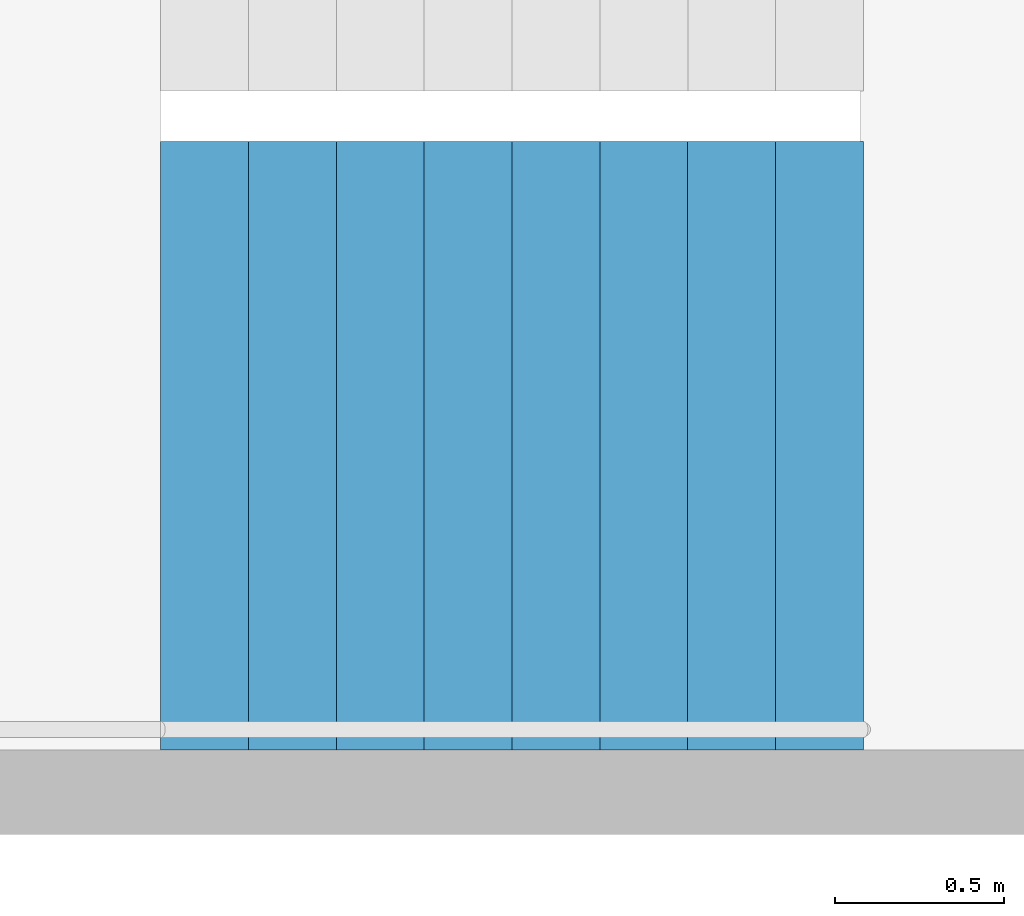
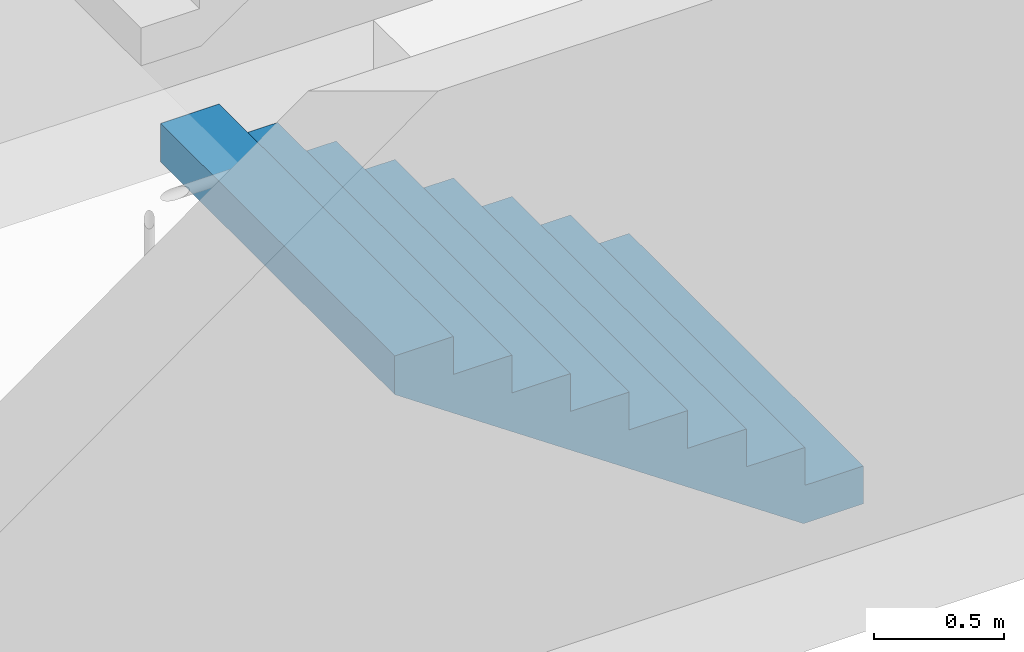
# One storey, part 27 of 29: 1 stair flight, 1 element without a shape of its own.
"""IFC4 building model written with IfcOpenShell, lengths in metres."""

from ifc_helpers import new_model, si_unit, direction, frame, origin, place, context, subcontext, project, spatial, triangles, material, type_object, element, aggregate, save


model = new_model("IFC4")

# Units and contexts
model_context = context("Model", 3, precision=1e-05, world=origin(), true_north=direction((0.0, 1.0)))
body_context = subcontext(model_context, "Body", "Model", "MODEL_VIEW")
ifc_project = project(units=[si_unit("LENGTHUNIT", "METRE"), si_unit("AREAUNIT", "SQUARE_METRE"), si_unit("VOLUMEUNIT", "CUBIC_METRE"), si_unit("PLANEANGLEUNIT", "RADIAN"), si_unit("MASSUNIT", "GRAM", prefix="KILO")], contexts=[model_context])

# Site, building, storey
site_placement = place(None, origin())
site = spatial("IfcSite", under=ifc_project, at=site_placement, CompositionType="ELEMENT")
building_placement = place(site_placement, origin())
building = spatial("IfcBuilding", under=site, at=building_placement, Name="Hakoniwa Tower and Hamabe Station Hall", CompositionType="ELEMENT")
storey_placement = place(building_placement, frame((0.0, 0.0, 101.0)))
storey = spatial("IfcBuildingStorey", under=building, at=storey_placement, Name="L28", CompositionType="ELEMENT", Elevation=101.0)

# Stair, stair flight
ifc_material_1 = material(Name="Concrete C40", Category="concrete")
stair_type = type_object("IfcStairType", Name="ESCAPE STAIR 1800", PredefinedType="HALF_TURN_STAIR", material=ifc_material_1)
stair_placement = place(storey_placement, origin())
stair = element("IfcStair", 1, at=stair_placement, inside=storey, type_object=stair_type, Name="Escape stair ST-3 L28", PredefinedType="HALF_TURN_STAIR")
ifc_material_2 = material(Name="Concrete C40", Category="concrete")
stair_flight_type = type_object("IfcStairFlightType", Name="STAIR FLIGHT 1800", PredefinedType="STRAIGHT", material=ifc_material_2)
stair_flight_placement = place(storey_placement, frame((24.39990234375, 4.64990234375, 0.0), z_axis=(0.0, 0.0, 1.0), x_axis=(-1.0, 0.0, 0.0)))
stair_flight = element("IfcStairFlight", 2, at=stair_flight_placement, type_object=stair_flight_type, Name="ST-3 flight 1", NumberOfRisers=9, NumberOfTreads=8, PredefinedType="STRAIGHT", RiserHeight=0.177777778, TreadLength=0.26, context=body_context, shape_type="Tessellation", body=[
    triangles([(0.0, 0.89990234375, 0.0), (0.260009765625, 0.89990234375, 0.0), (0.265625, 0.89990234375, 0.0), (0.52001953125, 0.89990234375, 0.174072265625), (0.780029296875, 0.89990234375, 0.351806640625), (1.0400390625, 0.89990234375, 0.529541015625), (1.300048828125, 0.89990234375, 0.707275390625), (1.56005859375, 0.89990234375, 0.885009765625), (1.820068359375, 0.89990234375, 1.062744140625), (2.080078125, 0.89990234375, 1.24072265625), (2.080078125, 0.89990234375, 1.422119140625), (1.820068359375, 0.89990234375, 1.422119140625), (1.820068359375, 0.89990234375, 1.244384765625), (1.56005859375, 0.89990234375, 1.244384765625), (1.56005859375, 0.89990234375, 1.066650390625), (1.300048828125, 0.89990234375, 1.066650390625), (1.300048828125, 0.89990234375, 0.888916015625), (1.0400390625, 0.89990234375, 0.888916015625), (1.0400390625, 0.89990234375, 0.711181640625), (0.780029296875, 0.89990234375, 0.711181640625), (0.780029296875, 0.89990234375, 0.533447265625), (0.52001953125, 0.89990234375, 0.533447265625), (0.52001953125, 0.89990234375, 0.35546875), (0.265625, 0.89990234375, 0.35546875), (0.260009765625, 0.89990234375, 0.35546875), (0.260009765625, 0.89990234375, 0.177734375), (0.0, 0.89990234375, 0.177734375), (0.0, 0.06005859375, 0.0), (0.260009765625, 0.06005859375, 0.0), (0.265625, 0.06005859375, 0.0), (0.52001953125, 0.06005859375, 0.174072265625), (0.780029296875, 0.06005859375, 0.351806640625), (1.0400390625, 0.06005859375, 0.529541015625), (1.300048828125, 0.06005859375, 0.707275390625), (1.56005859375, 0.06005859375, 0.885009765625), (1.820068359375, 0.06005859375, 1.062744140625), (2.080078125, 0.06005859375, 1.24072265625), (2.080078125, 0.06005859375, 1.422119140625), (1.820068359375, 0.06005859375, 1.422119140625), (1.820068359375, 0.06005859375, 1.244384765625), (1.56005859375, 0.06005859375, 1.244384765625), (1.56005859375, 0.06005859375, 1.066650390625), (1.300048828125, 0.06005859375, 1.066650390625), (1.300048828125, 0.06005859375, 0.888916015625), (1.0400390625, 0.06005859375, 0.888916015625), (1.0400390625, 0.06005859375, 0.711181640625), (0.780029296875, 0.06005859375, 0.711181640625), (0.780029296875, 0.06005859375, 0.533447265625), (0.52001953125, 0.06005859375, 0.533447265625), (0.52001953125, 0.06005859375, 0.35546875), (0.265625, 0.06005859375, 0.35546875), (0.260009765625, 0.06005859375, 0.35546875), (0.260009765625, 0.06005859375, 0.177734375), (0.0, 0.06005859375, 0.177734375), (0.0, 0.04296875, 0.0), (0.260009765625, 0.04296875, 0.0), (0.265625, 0.04296875, 0.0), (0.52001953125, 0.04296875, 0.174072265625), (0.780029296875, 0.04296875, 0.351806640625), (1.0400390625, 0.04296875, 0.529541015625), (1.300048828125, 0.04296875, 0.707275390625), (1.56005859375, 0.04296875, 0.885009765625), (1.820068359375, 0.04296875, 1.062744140625), (2.080078125, 0.04296875, 1.24072265625), (2.080078125, 0.04296875, 1.422119140625), (1.820068359375, 0.04296875, 1.422119140625), (1.820068359375, 0.04296875, 1.244384765625), (1.56005859375, 0.04296875, 1.244384765625), (1.56005859375, 0.04296875, 1.066650390625), (1.300048828125, 0.04296875, 1.066650390625), (1.300048828125, 0.04296875, 0.888916015625), (1.0400390625, 0.04296875, 0.888916015625), (1.0400390625, 0.04296875, 0.711181640625), (0.780029296875, 0.04296875, 0.711181640625), (0.780029296875, 0.04296875, 0.533447265625), (0.52001953125, 0.04296875, 0.533447265625), (0.52001953125, 0.04296875, 0.35546875), (0.265625, 0.04296875, 0.35546875), (0.260009765625, 0.04296875, 0.35546875), (0.260009765625, 0.04296875, 0.177734375), (0.0, 0.04296875, 0.177734375), (0.0, 0.025634765625, 0.0), (0.260009765625, 0.025634765625, 0.0), (0.265625, 0.025634765625, 0.0), (0.52001953125, 0.025634765625, 0.174072265625), (0.780029296875, 0.025634765625, 0.351806640625), (1.0400390625, 0.025634765625, 0.529541015625), (1.300048828125, 0.025634765625, 0.707275390625), (1.56005859375, 0.025634765625, 0.885009765625), (1.820068359375, 0.025634765625, 1.062744140625), (2.080078125, 0.025634765625, 1.24072265625), (2.080078125, 0.025634765625, 1.422119140625), (1.820068359375, 0.025634765625, 1.422119140625), (1.820068359375, 0.025634765625, 1.244384765625), (1.56005859375, 0.025634765625, 1.244384765625), (1.56005859375, 0.025634765625, 1.066650390625), (1.300048828125, 0.025634765625, 1.066650390625), (1.300048828125, 0.025634765625, 0.888916015625), (1.0400390625, 0.025634765625, 0.888916015625), (1.0400390625, 0.025634765625, 0.711181640625), (0.780029296875, 0.025634765625, 0.711181640625), (0.780029296875, 0.025634765625, 0.533447265625), (0.52001953125, 0.025634765625, 0.533447265625), (0.52001953125, 0.025634765625, 0.35546875), (0.265625, 0.025634765625, 0.35546875), (0.260009765625, 0.025634765625, 0.35546875), (0.260009765625, 0.025634765625, 0.177734375), (0.0, 0.025634765625, 0.177734375), (0.0, 0.008544921875, 0.0), (0.260009765625, 0.008544921875, 0.0), (0.265625, 0.008544921875, 0.0), (0.52001953125, 0.008544921875, 0.174072265625), (0.780029296875, 0.008544921875, 0.351806640625), (1.0400390625, 0.008544921875, 0.529541015625), (1.300048828125, 0.008544921875, 0.707275390625), (1.56005859375, 0.008544921875, 0.885009765625), (1.820068359375, 0.008544921875, 1.062744140625), (2.080078125, 0.008544921875, 1.24072265625), (2.080078125, 0.008544921875, 1.422119140625), (1.820068359375, 0.008544921875, 1.422119140625), (1.820068359375, 0.008544921875, 1.244384765625), (1.56005859375, 0.008544921875, 1.244384765625), (1.56005859375, 0.008544921875, 1.066650390625), (1.300048828125, 0.008544921875, 1.066650390625), (1.300048828125, 0.008544921875, 0.888916015625), (1.0400390625, 0.008544921875, 0.888916015625), (1.0400390625, 0.008544921875, 0.711181640625), (0.780029296875, 0.008544921875, 0.711181640625), (0.780029296875, 0.008544921875, 0.533447265625), (0.52001953125, 0.008544921875, 0.533447265625), (0.52001953125, 0.008544921875, 0.35546875), (0.265625, 0.008544921875, 0.35546875), (0.260009765625, 0.008544921875, 0.35546875), (0.260009765625, 0.008544921875, 0.177734375), (0.0, 0.008544921875, 0.177734375), (0.0, -0.008544921875, 0.0), (0.260009765625, -0.008544921875, 0.0), (0.265625, -0.008544921875, 0.0), (0.52001953125, -0.008544921875, 0.174072265625), (0.780029296875, -0.008544921875, 0.351806640625), (1.0400390625, -0.008544921875, 0.529541015625), (1.300048828125, -0.008544921875, 0.707275390625), (1.56005859375, -0.008544921875, 0.885009765625), (1.820068359375, -0.008544921875, 1.062744140625), (2.080078125, -0.008544921875, 1.24072265625), (2.080078125, -0.008544921875, 1.422119140625), (1.820068359375, -0.008544921875, 1.422119140625), (1.820068359375, -0.008544921875, 1.244384765625), (1.56005859375, -0.008544921875, 1.244384765625), (1.56005859375, -0.008544921875, 1.066650390625), (1.300048828125, -0.008544921875, 1.066650390625), (1.300048828125, -0.008544921875, 0.888916015625), (1.0400390625, -0.008544921875, 0.888916015625), (1.0400390625, -0.008544921875, 0.711181640625), (0.780029296875, -0.008544921875, 0.711181640625), (0.780029296875, -0.008544921875, 0.533447265625), (0.52001953125, -0.008544921875, 0.533447265625), (0.52001953125, -0.008544921875, 0.35546875), (0.265625, -0.008544921875, 0.35546875), (0.260009765625, -0.008544921875, 0.35546875), (0.260009765625, -0.008544921875, 0.177734375), (0.0, -0.008544921875, 0.177734375), (0.0, -0.025634765625, 0.0), (0.260009765625, -0.025634765625, 0.0), (0.265625, -0.025634765625, 0.0), (0.52001953125, -0.025634765625, 0.174072265625), (0.780029296875, -0.025634765625, 0.351806640625), (1.0400390625, -0.025634765625, 0.529541015625), (1.300048828125, -0.025634765625, 0.707275390625), (1.56005859375, -0.025634765625, 0.885009765625), (1.820068359375, -0.025634765625, 1.062744140625), (2.080078125, -0.025634765625, 1.24072265625), (2.080078125, -0.025634765625, 1.422119140625), (1.820068359375, -0.025634765625, 1.422119140625), (1.820068359375, -0.025634765625, 1.244384765625), (1.56005859375, -0.025634765625, 1.244384765625), (1.56005859375, -0.025634765625, 1.066650390625), (1.300048828125, -0.025634765625, 1.066650390625), (1.300048828125, -0.025634765625, 0.888916015625), (1.0400390625, -0.025634765625, 0.888916015625), (1.0400390625, -0.025634765625, 0.711181640625), (0.780029296875, -0.025634765625, 0.711181640625), (0.780029296875, -0.025634765625, 0.533447265625), (0.52001953125, -0.025634765625, 0.533447265625), (0.52001953125, -0.025634765625, 0.35546875), (0.265625, -0.025634765625, 0.35546875), (0.260009765625, -0.025634765625, 0.35546875), (0.260009765625, -0.025634765625, 0.177734375), (0.0, -0.025634765625, 0.177734375), (0.0, -0.04296875, 0.0), (0.260009765625, -0.04296875, 0.0), (0.265625, -0.04296875, 0.0), (0.52001953125, -0.04296875, 0.174072265625), (0.780029296875, -0.04296875, 0.351806640625), (1.0400390625, -0.04296875, 0.529541015625), (1.300048828125, -0.04296875, 0.707275390625), (1.56005859375, -0.04296875, 0.885009765625), (1.820068359375, -0.04296875, 1.062744140625), (2.080078125, -0.04296875, 1.24072265625), (2.080078125, -0.04296875, 1.422119140625), (1.820068359375, -0.04296875, 1.422119140625), (1.820068359375, -0.04296875, 1.244384765625), (1.56005859375, -0.04296875, 1.244384765625), (1.56005859375, -0.04296875, 1.066650390625), (1.300048828125, -0.04296875, 1.066650390625), (1.300048828125, -0.04296875, 0.888916015625), (1.0400390625, -0.04296875, 0.888916015625), (1.0400390625, -0.04296875, 0.711181640625), (0.780029296875, -0.04296875, 0.711181640625), (0.780029296875, -0.04296875, 0.533447265625), (0.52001953125, -0.04296875, 0.533447265625), (0.52001953125, -0.04296875, 0.35546875), (0.265625, -0.04296875, 0.35546875), (0.260009765625, -0.04296875, 0.35546875), (0.260009765625, -0.04296875, 0.177734375), (0.0, -0.04296875, 0.177734375), (0.0, -0.06005859375, 0.0), (0.260009765625, -0.06005859375, 0.0), (0.265625, -0.06005859375, 0.0), (0.52001953125, -0.06005859375, 0.174072265625), (0.780029296875, -0.06005859375, 0.351806640625), (1.0400390625, -0.06005859375, 0.529541015625), (1.300048828125, -0.06005859375, 0.707275390625), (1.56005859375, -0.06005859375, 0.885009765625), (1.820068359375, -0.06005859375, 1.062744140625), (2.080078125, -0.06005859375, 1.24072265625), (2.080078125, -0.06005859375, 1.422119140625), (1.820068359375, -0.06005859375, 1.422119140625), (1.820068359375, -0.06005859375, 1.244384765625), (1.56005859375, -0.06005859375, 1.244384765625), (1.56005859375, -0.06005859375, 1.066650390625), (1.300048828125, -0.06005859375, 1.066650390625), (1.300048828125, -0.06005859375, 0.888916015625), (1.0400390625, -0.06005859375, 0.888916015625), (1.0400390625, -0.06005859375, 0.711181640625), (0.780029296875, -0.06005859375, 0.711181640625), (0.780029296875, -0.06005859375, 0.533447265625), (0.52001953125, -0.06005859375, 0.533447265625), (0.52001953125, -0.06005859375, 0.35546875), (0.265625, -0.06005859375, 0.35546875), (0.260009765625, -0.06005859375, 0.35546875), (0.260009765625, -0.06005859375, 0.177734375), (0.0, -0.06005859375, 0.177734375), (0.0, -0.89990234375, 0.0), (0.260009765625, -0.89990234375, 0.0), (0.265625, -0.89990234375, 0.0), (0.52001953125, -0.89990234375, 0.174072265625), (0.780029296875, -0.89990234375, 0.351806640625), (1.0400390625, -0.89990234375, 0.529541015625), (1.300048828125, -0.89990234375, 0.707275390625), (1.56005859375, -0.89990234375, 0.885009765625), (1.820068359375, -0.89990234375, 1.062744140625), (2.080078125, -0.89990234375, 1.24072265625), (2.080078125, -0.89990234375, 1.422119140625), (1.820068359375, -0.89990234375, 1.422119140625), (1.820068359375, -0.89990234375, 1.244384765625), (1.56005859375, -0.89990234375, 1.244384765625), (1.56005859375, -0.89990234375, 1.066650390625), (1.300048828125, -0.89990234375, 1.066650390625), (1.300048828125, -0.89990234375, 0.888916015625), (1.0400390625, -0.89990234375, 0.888916015625), (1.0400390625, -0.89990234375, 0.711181640625), (0.780029296875, -0.89990234375, 0.711181640625), (0.780029296875, -0.89990234375, 0.533447265625), (0.52001953125, -0.89990234375, 0.533447265625), (0.52001953125, -0.89990234375, 0.35546875), (0.265625, -0.89990234375, 0.35546875), (0.260009765625, -0.89990234375, 0.35546875), (0.260009765625, -0.89990234375, 0.177734375), (0.0, -0.89990234375, 0.177734375)], [[2, 27, 26], [245, 269, 270], [2, 1, 27], [245, 270, 244], [3, 25, 24], [246, 267, 268], [3, 26, 25], [246, 268, 269], [3, 2, 26], [246, 269, 245], [4, 24, 23], [247, 266, 267], [4, 3, 24], [247, 267, 246], [5, 22, 21], [248, 264, 265], [5, 23, 22], [248, 265, 266], [5, 4, 23], [248, 266, 247], [6, 20, 19], [249, 262, 263], [6, 21, 20], [249, 263, 264], [6, 5, 21], [249, 264, 248], [7, 18, 17], [250, 260, 261], [7, 19, 18], [250, 261, 262], [7, 6, 19], [250, 262, 249], [8, 16, 15], [251, 258, 259], [8, 17, 16], [251, 259, 260], [8, 7, 17], [251, 260, 250], [9, 14, 13], [252, 256, 257], [9, 15, 14], [252, 257, 258], [9, 8, 15], [252, 258, 251], [10, 12, 11], [253, 254, 255], [10, 13, 12], [253, 255, 256], [10, 9, 13], [253, 256, 252], [1, 2, 29], [1, 29, 28], [28, 29, 56], [28, 56, 55], [55, 56, 83], [55, 83, 82], [82, 83, 110], [82, 110, 109], [109, 110, 137], [109, 137, 136], [136, 137, 164], [136, 164, 163], [163, 164, 191], [163, 191, 190], [190, 191, 218], [190, 218, 217], [217, 218, 245], [217, 245, 244], [2, 3, 30], [2, 30, 29], [29, 30, 57], [29, 57, 56], [56, 57, 84], [56, 84, 83], [83, 84, 111], [83, 111, 110], [110, 111, 138], [110, 138, 137], [137, 138, 165], [137, 165, 164], [164, 165, 192], [164, 192, 191], [191, 192, 219], [191, 219, 218], [218, 219, 246], [218, 246, 245], [3, 4, 31], [3, 31, 30], [30, 31, 58], [30, 58, 57], [57, 58, 85], [57, 85, 84], [84, 85, 112], [84, 112, 111], [111, 112, 139], [111, 139, 138], [138, 139, 166], [138, 166, 165], [165, 166, 193], [165, 193, 192], [192, 193, 220], [192, 220, 219], [219, 220, 247], [219, 247, 246], [4, 5, 32], [4, 32, 31], [31, 32, 59], [31, 59, 58], [58, 59, 86], [58, 86, 85], [85, 86, 113], [85, 113, 112], [112, 113, 140], [112, 140, 139], [139, 140, 167], [139, 167, 166], [166, 167, 194], [166, 194, 193], [193, 194, 221], [193, 221, 220], [220, 221, 248], [220, 248, 247], [5, 6, 33], [5, 33, 32], [32, 33, 60], [32, 60, 59], [59, 60, 87], [59, 87, 86], [86, 87, 114], [86, 114, 113], [113, 114, 141], [113, 141, 140], [140, 141, 168], [140, 168, 167], [167, 168, 195], [167, 195, 194], [194, 195, 222], [194, 222, 221], [221, 222, 249], [221, 249, 248], [6, 7, 34], [6, 34, 33], [33, 34, 61], [33, 61, 60], [60, 61, 88], [60, 88, 87], [87, 88, 115], [87, 115, 114], [114, 115, 142], [114, 142, 141], [141, 142, 169], [141, 169, 168], [168, 169, 196], [168, 196, 195], [195, 196, 223], [195, 223, 222], [222, 223, 250], [222, 250, 249], [7, 8, 35], [7, 35, 34], [34, 35, 62], [34, 62, 61], [61, 62, 89], [61, 89, 88], [88, 89, 116], [88, 116, 115], [115, 116, 143], [115, 143, 142], [142, 143, 170], [142, 170, 169], [169, 170, 197], [169, 197, 196], [196, 197, 224], [196, 224, 223], [223, 224, 251], [223, 251, 250], [8, 9, 36], [8, 36, 35], [35, 36, 63], [35, 63, 62], [62, 63, 90], [62, 90, 89], [89, 90, 117], [89, 117, 116], [116, 117, 144], [116, 144, 143], [143, 144, 171], [143, 171, 170], [170, 171, 198], [170, 198, 197], [197, 198, 225], [197, 225, 224], [224, 225, 252], [224, 252, 251], [9, 10, 37], [9, 37, 36], [36, 37, 64], [36, 64, 63], [63, 64, 91], [63, 91, 90], [90, 91, 118], [90, 118, 117], [117, 118, 145], [117, 145, 144], [144, 145, 172], [144, 172, 171], [171, 172, 199], [171, 199, 198], [198, 199, 226], [198, 226, 225], [225, 226, 253], [225, 253, 252], [10, 11, 38], [10, 38, 37], [37, 38, 65], [37, 65, 64], [64, 65, 92], [64, 92, 91], [91, 92, 119], [91, 119, 118], [118, 119, 146], [118, 146, 145], [145, 146, 173], [145, 173, 172], [172, 173, 200], [172, 200, 199], [199, 200, 227], [199, 227, 226], [226, 227, 254], [226, 254, 253], [11, 12, 39], [11, 39, 38], [38, 39, 66], [38, 66, 65], [65, 66, 93], [65, 93, 92], [92, 93, 120], [92, 120, 119], [119, 120, 147], [119, 147, 146], [146, 147, 174], [146, 174, 173], [173, 174, 201], [173, 201, 200], [200, 201, 228], [200, 228, 227], [227, 228, 255], [227, 255, 254], [12, 13, 40], [12, 40, 39], [39, 40, 67], [39, 67, 66], [66, 67, 94], [66, 94, 93], [93, 94, 121], [93, 121, 120], [120, 121, 148], [120, 148, 147], [147, 148, 175], [147, 175, 174], [174, 175, 202], [174, 202, 201], [201, 202, 229], [201, 229, 228], [228, 229, 256], [228, 256, 255], [13, 14, 41], [13, 41, 40], [40, 41, 68], [40, 68, 67], [67, 68, 95], [67, 95, 94], [94, 95, 122], [94, 122, 121], [121, 122, 149], [121, 149, 148], [148, 149, 176], [148, 176, 175], [175, 176, 203], [175, 203, 202], [202, 203, 230], [202, 230, 229], [229, 230, 257], [229, 257, 256], [14, 15, 42], [14, 42, 41], [41, 42, 69], [41, 69, 68], [68, 69, 96], [68, 96, 95], [95, 96, 123], [95, 123, 122], [122, 123, 150], [122, 150, 149], [149, 150, 177], [149, 177, 176], [176, 177, 204], [176, 204, 203], [203, 204, 231], [203, 231, 230], [230, 231, 258], [230, 258, 257], [15, 16, 43], [15, 43, 42], [42, 43, 70], [42, 70, 69], [69, 70, 97], [69, 97, 96], [96, 97, 124], [96, 124, 123], [123, 124, 151], [123, 151, 150], [150, 151, 178], [150, 178, 177], [177, 178, 205], [177, 205, 204], [204, 205, 232], [204, 232, 231], [231, 232, 259], [231, 259, 258], [16, 17, 44], [16, 44, 43], [43, 44, 71], [43, 71, 70], [70, 71, 98], [70, 98, 97], [97, 98, 125], [97, 125, 124], [124, 125, 152], [124, 152, 151], [151, 152, 179], [151, 179, 178], [178, 179, 206], [178, 206, 205], [205, 206, 233], [205, 233, 232], [232, 233, 260], [232, 260, 259], [17, 18, 45], [17, 45, 44], [44, 45, 72], [44, 72, 71], [71, 72, 99], [71, 99, 98], [98, 99, 126], [98, 126, 125], [125, 126, 153], [125, 153, 152], [152, 153, 180], [152, 180, 179], [179, 180, 207], [179, 207, 206], [206, 207, 234], [206, 234, 233], [233, 234, 261], [233, 261, 260], [18, 19, 46], [18, 46, 45], [45, 46, 73], [45, 73, 72], [72, 73, 100], [72, 100, 99], [99, 100, 127], [99, 127, 126], [126, 127, 154], [126, 154, 153], [153, 154, 181], [153, 181, 180], [180, 181, 208], [180, 208, 207], [207, 208, 235], [207, 235, 234], [234, 235, 262], [234, 262, 261], [19, 20, 47], [19, 47, 46], [46, 47, 74], [46, 74, 73], [73, 74, 101], [73, 101, 100], [100, 101, 128], [100, 128, 127], [127, 128, 155], [127, 155, 154], [154, 155, 182], [154, 182, 181], [181, 182, 209], [181, 209, 208], [208, 209, 236], [208, 236, 235], [235, 236, 263], [235, 263, 262], [20, 21, 48], [20, 48, 47], [47, 48, 75], [47, 75, 74], [74, 75, 102], [74, 102, 101], [101, 102, 129], [101, 129, 128], [128, 129, 156], [128, 156, 155], [155, 156, 183], [155, 183, 182], [182, 183, 210], [182, 210, 209], [209, 210, 237], [209, 237, 236], [236, 237, 264], [236, 264, 263], [21, 22, 49], [21, 49, 48], [48, 49, 76], [48, 76, 75], [75, 76, 103], [75, 103, 102], [102, 103, 130], [102, 130, 129], [129, 130, 157], [129, 157, 156], [156, 157, 184], [156, 184, 183], [183, 184, 211], [183, 211, 210], [210, 211, 238], [210, 238, 237], [237, 238, 265], [237, 265, 264], [22, 23, 50], [22, 50, 49], [49, 50, 77], [49, 77, 76], [76, 77, 104], [76, 104, 103], [103, 104, 131], [103, 131, 130], [130, 131, 158], [130, 158, 157], [157, 158, 185], [157, 185, 184], [184, 185, 212], [184, 212, 211], [211, 212, 239], [211, 239, 238], [238, 239, 266], [238, 266, 265], [23, 24, 51], [23, 51, 50], [50, 51, 78], [50, 78, 77], [77, 78, 105], [77, 105, 104], [104, 105, 132], [104, 132, 131], [131, 132, 159], [131, 159, 158], [158, 159, 186], [158, 186, 185], [185, 186, 213], [185, 213, 212], [212, 213, 240], [212, 240, 239], [239, 240, 267], [239, 267, 266], [24, 25, 52], [24, 52, 51], [51, 52, 79], [51, 79, 78], [78, 79, 106], [78, 106, 105], [105, 106, 133], [105, 133, 132], [132, 133, 160], [132, 160, 159], [159, 160, 187], [159, 187, 186], [186, 187, 214], [186, 214, 213], [213, 214, 241], [213, 241, 240], [240, 241, 268], [240, 268, 267], [25, 26, 53], [25, 53, 52], [52, 53, 80], [52, 80, 79], [79, 80, 107], [79, 107, 106], [106, 107, 134], [106, 134, 133], [133, 134, 161], [133, 161, 160], [160, 161, 188], [160, 188, 187], [187, 188, 215], [187, 215, 214], [214, 215, 242], [214, 242, 241], [241, 242, 269], [241, 269, 268], [26, 27, 54], [26, 54, 53], [53, 54, 81], [53, 81, 80], [80, 81, 108], [80, 108, 107], [107, 108, 135], [107, 135, 134], [134, 135, 162], [134, 162, 161], [161, 162, 189], [161, 189, 188], [188, 189, 216], [188, 216, 215], [215, 216, 243], [215, 243, 242], [242, 243, 270], [242, 270, 269], [27, 1, 28], [27, 28, 54], [54, 28, 55], [54, 55, 81], [81, 55, 82], [81, 82, 108], [108, 82, 109], [108, 109, 135], [135, 109, 136], [135, 136, 162], [162, 136, 163], [162, 163, 189], [189, 163, 190], [189, 190, 216], [216, 190, 217], [216, 217, 243], [243, 217, 244], [243, 244, 270]], closed=True),
])
aggregate(stair, [stair_flight])

save(model, "model.ifc")
